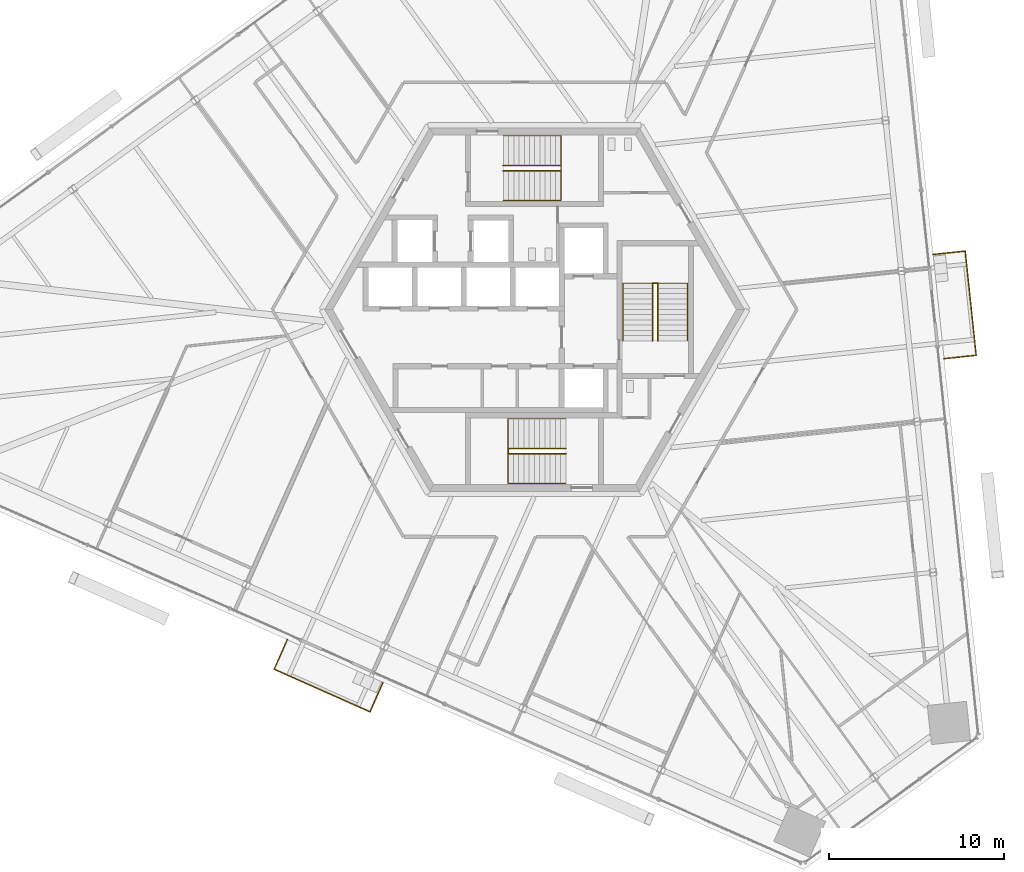
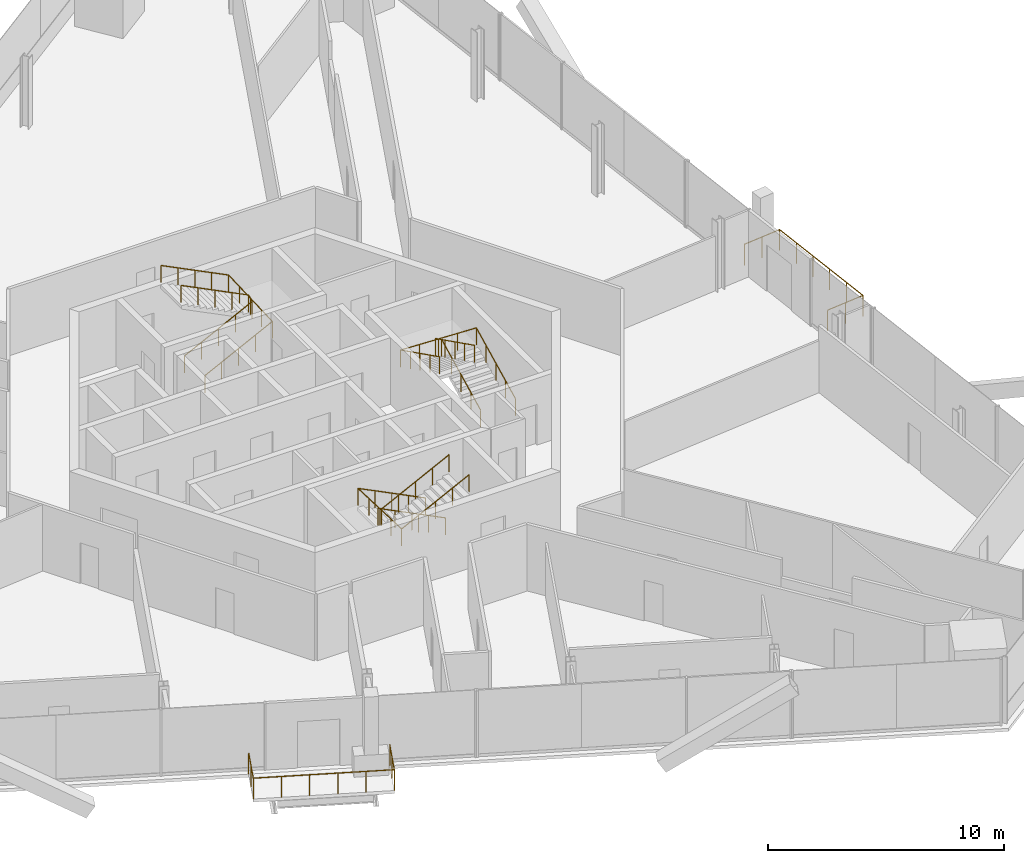
# One storey, part 15 of 18: 8 railings.
"""IFC4 building model written with IfcOpenShell, lengths in metres."""

from ifc_helpers import new_model, si_unit, direction, frame, origin, origin_2d, place, context, subcontext, project, spatial, circle, extrude, source, transform, mapped, material, type_object, element, save


model = new_model("IFC4")

# Units and contexts
model_context = context("Model", 3, precision=1e-05, world=origin(), true_north=direction((0.0, 1.0)))
body_context = subcontext(model_context, "Body", "Model", "MODEL_VIEW")
ifc_project = project(units=[si_unit("LENGTHUNIT", "METRE"), si_unit("AREAUNIT", "SQUARE_METRE"), si_unit("VOLUMEUNIT", "CUBIC_METRE"), si_unit("PLANEANGLEUNIT", "RADIAN"), si_unit("MASSUNIT", "GRAM", prefix="KILO")], contexts=[model_context])

# Site, building, storey
site_placement = place(None, origin())
site = spatial("IfcSite", under=ifc_project, at=site_placement, CompositionType="ELEMENT")
building_placement = place(site_placement, origin())
building = spatial("IfcBuilding", under=site, at=building_placement, Name="Triune Harvest Tower", CompositionType="ELEMENT")
storey_placement = place(building_placement, frame((0.0, 0.0, 83.699951171875)))
storey = spatial("IfcBuildingStorey", under=building, at=storey_placement, Name="L20", CompositionType="ELEMENT", Elevation=83.699951171875)

# Railings
ifc_material_1 = material(Name="Stainless steel AISI 316", Category="steel")
railing_type_1 = type_object("IfcRailingType", Name="Stair handrail", PredefinedType="HANDRAIL", material=ifc_material_1)
shared_shape_1 = source(origin(), body_context, "Body", "SweptSolid", [
    extrude(circle(Radius=0.02392578125, at=origin_2d()), frame((0.0, 0.0, 0.8759765625), z_axis=(0.894440424912, 0.0, 0.447187126696), x_axis=(0.0, 1.0, 0.0)), (0.0, 0.0, 1.0), 3.689453125),
    extrude(circle(Radius=0.02392578125, at=origin_2d()), frame((3.300048828125, 0.0, 2.52587890625), z_axis=(0.0, 0.999180289278, 0.040481471304), x_axis=(-1.0, 0.0, 0.0)), (0.0, 0.0, 1.0), 3.702880859375),
    extrude(circle(Radius=0.02392578125, at=origin_2d()), frame((3.300048828125, 3.699951171875, 2.67578125), z_axis=(-0.894413956696, 0.0, 0.447240063129), x_axis=(0.0, -1.0, 0.0)), (0.0, 0.0, 1.0), 3.689697265625),
    extrude(circle(Radius=0.02099609375, at=origin_2d()), origin(), (0.0, 0.0, 1.0), 0.851806640625),
    extrude(circle(Radius=0.02099609375, at=origin_2d()), frame((0.824951171875, 0.0, 0.41259765625)), (0.0, 0.0, 1.0), 0.851806640625),
    extrude(circle(Radius=0.02099609375, at=origin_2d()), frame((1.64990234375, 0.0, 0.824951171875)), (0.0, 0.0, 1.0), 0.851806640625),
    extrude(circle(Radius=0.02099609375, at=origin_2d()), frame((2.47509765625, 0.0, 1.2373046875)), (0.0, 0.0, 1.0), 0.851806640625),
    extrude(circle(Radius=0.02099609375, at=origin_2d()), frame((3.300048828125, 0.0, 1.64990234375)), (0.0, 0.0, 1.0), 0.851806640625),
    extrude(circle(Radius=0.02099609375, at=origin_2d()), frame((3.300048828125, 0.925048828125, 1.6875)), (0.0, 0.0, 1.0), 0.851806640625),
    extrude(circle(Radius=0.02099609375, at=origin_2d()), frame((3.300048828125, 1.85009765625, 1.724853515625)), (0.0, 0.0, 1.0), 0.851806640625),
    extrude(circle(Radius=0.02099609375, at=origin_2d()), frame((3.300048828125, 2.77490234375, 1.76220703125)), (0.0, 0.0, 1.0), 0.851806640625),
    extrude(circle(Radius=0.02099609375, at=origin_2d()), frame((3.300048828125, 3.699951171875, 1.7998046875)), (0.0, 0.0, 1.0), 0.851806640625),
    extrude(circle(Radius=0.02099609375, at=origin_2d()), frame((2.47509765625, 3.699951171875, 2.21240234375)), (0.0, 0.0, 1.0), 0.851806640625),
    extrude(circle(Radius=0.02099609375, at=origin_2d()), frame((1.64990234375, 3.699951171875, 2.625)), (0.0, 0.0, 1.0), 0.851806640625),
    extrude(circle(Radius=0.02099609375, at=origin_2d()), frame((0.824951171875, 3.699951171875, 3.037353515625)), (0.0, 0.0, 1.0), 0.851806640625),
    extrude(circle(Radius=0.02099609375, at=origin_2d()), frame((0.0, 3.699951171875, 3.449951171875)), (0.0, 0.0, 1.0), 0.851806640625),
])
railing_1_placement = place(storey_placement, frame((-1.7900390625, 6.239990234375, 0.150146484375)))
element("IfcRailing", 1, at=railing_1_placement, inside=storey, type_object=railing_type_1, Name="Exit stair north wall handrail", PredefinedType="HANDRAIL", context=body_context, shape_type="MappedRepresentation", body=[
    mapped(shared_shape_1, transform((0.0, 0.0, 0.0), scale=1.0)),
])
shared_shape_2 = source(origin(), body_context, "Body", "SweptSolid", [
    extrude(circle(Radius=0.02392578125, at=origin_2d()), frame((0.0, 0.0, 0.8759765625), z_axis=(0.894440424912, 0.0, 0.447187126696), x_axis=(0.0, 1.0, 0.0)), (0.0, 0.0, 1.0), 3.689453125),
    extrude(circle(Radius=0.02392578125, at=origin_2d()), frame((3.300048828125, 0.0, 2.52587890625), z_axis=(0.0, 0.894572720946, 0.446922417137), x_axis=(-1.0, 0.0, 0.0)), (0.0, 0.0, 1.0), 0.33544921875),
    extrude(circle(Radius=0.02392578125, at=origin_2d()), frame((3.300048828125, 0.300048828125, 2.67578125), z_axis=(-0.894413956696, 0.0, 0.447240063129), x_axis=(0.0, -1.0, 0.0)), (0.0, 0.0, 1.0), 3.689697265625),
    extrude(circle(Radius=0.02099609375, at=origin_2d()), origin(), (0.0, 0.0, 1.0), 0.851806640625),
    extrude(circle(Radius=0.02099609375, at=origin_2d()), frame((0.824951171875, 0.0, 0.41259765625)), (0.0, 0.0, 1.0), 0.851806640625),
    extrude(circle(Radius=0.02099609375, at=origin_2d()), frame((1.64990234375, 0.0, 0.824951171875)), (0.0, 0.0, 1.0), 0.851806640625),
    extrude(circle(Radius=0.02099609375, at=origin_2d()), frame((2.47509765625, 0.0, 1.2373046875)), (0.0, 0.0, 1.0), 0.851806640625),
    extrude(circle(Radius=0.02099609375, at=origin_2d()), frame((3.300048828125, 0.0, 1.64990234375)), (0.0, 0.0, 1.0), 0.851806640625),
    extrude(circle(Radius=0.02099609375, at=origin_2d()), frame((3.300048828125, 0.300048828125, 1.7998046875)), (0.0, 0.0, 1.0), 0.851806640625),
    extrude(circle(Radius=0.02099609375, at=origin_2d()), frame((2.47509765625, 0.300048828125, 2.21240234375)), (0.0, 0.0, 1.0), 0.851806640625),
    extrude(circle(Radius=0.02099609375, at=origin_2d()), frame((1.64990234375, 0.300048828125, 2.625)), (0.0, 0.0, 1.0), 0.851806640625),
    extrude(circle(Radius=0.02099609375, at=origin_2d()), frame((0.824951171875, 0.300048828125, 3.037353515625)), (0.0, 0.0, 1.0), 0.851806640625),
    extrude(circle(Radius=0.02099609375, at=origin_2d()), frame((0.0, 0.300048828125, 3.449951171875)), (0.0, 0.0, 1.0), 0.851806640625),
])
railing_2_placement = place(storey_placement, frame((-1.7900390625, 7.93994140625, 0.150146484375)))
element("IfcRailing", 2, at=railing_2_placement, inside=storey, type_object=railing_type_1, Name="Exit stair north centre handrail", PredefinedType="HANDRAIL", context=body_context, shape_type="MappedRepresentation", body=[
    mapped(shared_shape_2, transform((0.0, 0.0, 0.0), scale=1.0)),
])
shared_shape_3 = source(origin(), body_context, "Body", "SweptSolid", [
    extrude(circle(Radius=0.02392578125, at=origin_2d()), frame((0.0, 0.0, 0.8759765625), z_axis=(-0.894440424912, 0.0, 0.447187126696), x_axis=(0.0, -1.0, 0.0)), (0.0, 0.0, 1.0), 3.689453125),
    extrude(circle(Radius=0.02392578125, at=origin_2d()), frame((-3.300048828125, 0.0, 2.52587890625), z_axis=(0.0, -0.999180289278, 0.040481471304), x_axis=(1.0, 0.0, 0.0)), (0.0, 0.0, 1.0), 3.702880859375),
    extrude(circle(Radius=0.02392578125, at=origin_2d()), frame((-3.300048828125, -3.699951171875, 2.67578125), z_axis=(0.894413956696, 0.0, 0.447240063129), x_axis=(0.0, 1.0, 0.0)), (0.0, 0.0, 1.0), 3.689697265625),
    extrude(circle(Radius=0.02099609375, at=origin_2d()), origin(), (0.0, 0.0, 1.0), 0.851806640625),
    extrude(circle(Radius=0.02099609375, at=origin_2d()), frame((-0.824951171875, 0.0, 0.41259765625)), (0.0, 0.0, 1.0), 0.851806640625),
    extrude(circle(Radius=0.02099609375, at=origin_2d()), frame((-1.64990234375, 0.0, 0.824951171875)), (0.0, 0.0, 1.0), 0.851806640625),
    extrude(circle(Radius=0.02099609375, at=origin_2d()), frame((-2.47509765625, 0.0, 1.2373046875)), (0.0, 0.0, 1.0), 0.851806640625),
    extrude(circle(Radius=0.02099609375, at=origin_2d()), frame((-3.300048828125, 0.0, 1.64990234375)), (0.0, 0.0, 1.0), 0.851806640625),
    extrude(circle(Radius=0.02099609375, at=origin_2d()), frame((-3.300048828125, -0.925048828125, 1.6875)), (0.0, 0.0, 1.0), 0.851806640625),
    extrude(circle(Radius=0.02099609375, at=origin_2d()), frame((-3.300048828125, -1.85009765625, 1.724853515625)), (0.0, 0.0, 1.0), 0.851806640625),
    extrude(circle(Radius=0.02099609375, at=origin_2d()), frame((-3.300048828125, -2.77490234375, 1.76220703125)), (0.0, 0.0, 1.0), 0.851806640625),
    extrude(circle(Radius=0.02099609375, at=origin_2d()), frame((-3.300048828125, -3.699951171875, 1.7998046875)), (0.0, 0.0, 1.0), 0.851806640625),
    extrude(circle(Radius=0.02099609375, at=origin_2d()), frame((-2.47509765625, -3.699951171875, 2.21240234375)), (0.0, 0.0, 1.0), 0.851806640625),
    extrude(circle(Radius=0.02099609375, at=origin_2d()), frame((-1.64990234375, -3.699951171875, 2.625)), (0.0, 0.0, 1.0), 0.851806640625),
    extrude(circle(Radius=0.02099609375, at=origin_2d()), frame((-0.824951171875, -3.699951171875, 3.037353515625)), (0.0, 0.0, 1.0), 0.851806640625),
    extrude(circle(Radius=0.02099609375, at=origin_2d()), frame((0.0, -3.699951171875, 3.449951171875)), (0.0, 0.0, 1.0), 0.851806640625),
])
railing_3_placement = place(storey_placement, frame((1.7900390625, -6.239990234375, 0.150146484375)))
element("IfcRailing", 3, at=railing_3_placement, inside=storey, type_object=railing_type_1, Name="Exit stair south wall handrail", PredefinedType="HANDRAIL", context=body_context, shape_type="MappedRepresentation", body=[
    mapped(shared_shape_3, transform((0.0, 0.0, 0.0), scale=1.0)),
])
shared_shape_4 = source(origin(), body_context, "Body", "SweptSolid", [
    extrude(circle(Radius=0.02392578125, at=origin_2d()), frame((0.0, 0.0, 0.8759765625), z_axis=(-0.894440424912, 0.0, 0.447187126696), x_axis=(0.0, -1.0, 0.0)), (0.0, 0.0, 1.0), 3.689453125),
    extrude(circle(Radius=0.02392578125, at=origin_2d()), frame((-3.300048828125, 0.0, 2.52587890625), z_axis=(0.0, -0.894572720946, 0.446922417137), x_axis=(1.0, 0.0, 0.0)), (0.0, 0.0, 1.0), 0.33544921875),
    extrude(circle(Radius=0.02392578125, at=origin_2d()), frame((-3.300048828125, -0.300048828125, 2.67578125), z_axis=(0.894413956696, 0.0, 0.447240063129), x_axis=(0.0, 1.0, 0.0)), (0.0, 0.0, 1.0), 3.689697265625),
    extrude(circle(Radius=0.02099609375, at=origin_2d()), origin(), (0.0, 0.0, 1.0), 0.851806640625),
    extrude(circle(Radius=0.02099609375, at=origin_2d()), frame((-0.824951171875, 0.0, 0.41259765625)), (0.0, 0.0, 1.0), 0.851806640625),
    extrude(circle(Radius=0.02099609375, at=origin_2d()), frame((-1.64990234375, 0.0, 0.824951171875)), (0.0, 0.0, 1.0), 0.851806640625),
    extrude(circle(Radius=0.02099609375, at=origin_2d()), frame((-2.47509765625, 0.0, 1.2373046875)), (0.0, 0.0, 1.0), 0.851806640625),
    extrude(circle(Radius=0.02099609375, at=origin_2d()), frame((-3.300048828125, 0.0, 1.64990234375)), (0.0, 0.0, 1.0), 0.851806640625),
    extrude(circle(Radius=0.02099609375, at=origin_2d()), frame((-3.300048828125, -0.300048828125, 1.7998046875)), (0.0, 0.0, 1.0), 0.851806640625),
    extrude(circle(Radius=0.02099609375, at=origin_2d()), frame((-2.47509765625, -0.300048828125, 2.21240234375)), (0.0, 0.0, 1.0), 0.851806640625),
    extrude(circle(Radius=0.02099609375, at=origin_2d()), frame((-1.64990234375, -0.300048828125, 2.625)), (0.0, 0.0, 1.0), 0.851806640625),
    extrude(circle(Radius=0.02099609375, at=origin_2d()), frame((-0.824951171875, -0.300048828125, 3.037353515625)), (0.0, 0.0, 1.0), 0.851806640625),
    extrude(circle(Radius=0.02099609375, at=origin_2d()), frame((0.0, -0.300048828125, 3.449951171875)), (0.0, 0.0, 1.0), 0.851806640625),
])
railing_4_placement = place(storey_placement, frame((1.7900390625, -7.93994140625, 0.150146484375)))
element("IfcRailing", 4, at=railing_4_placement, inside=storey, type_object=railing_type_1, Name="Exit stair south centre handrail", PredefinedType="HANDRAIL", context=body_context, shape_type="MappedRepresentation", body=[
    mapped(shared_shape_4, transform((0.0, 0.0, 0.0), scale=1.0)),
])
shared_shape_5 = source(origin(), body_context, "Body", "SweptSolid", [
    extrude(circle(Radius=0.02392578125, at=origin_2d()), frame((0.0, 0.0, 0.8759765625), z_axis=(0.0, 0.894440424912, 0.447187126696), x_axis=(-1.0, 0.0, 0.0)), (0.0, 0.0, 1.0), 3.689453125),
    extrude(circle(Radius=0.02392578125, at=origin_2d()), frame((0.0, 3.300048828125, 2.52587890625), z_axis=(-0.999180289278, 0.0, 0.040481471304), x_axis=(0.0, -1.0, 0.0)), (0.0, 0.0, 1.0), 3.702880859375),
    extrude(circle(Radius=0.02392578125, at=origin_2d()), frame((-3.699951171875, 3.300048828125, 2.67578125), z_axis=(0.0, -0.894413956696, 0.447240063129), x_axis=(1.0, 0.0, 0.0)), (0.0, 0.0, 1.0), 3.689697265625),
    extrude(circle(Radius=0.02099609375, at=origin_2d()), origin(), (0.0, 0.0, 1.0), 0.851806640625),
    extrude(circle(Radius=0.02099609375, at=origin_2d()), frame((0.0, 0.824951171875, 0.41259765625)), (0.0, 0.0, 1.0), 0.851806640625),
    extrude(circle(Radius=0.02099609375, at=origin_2d()), frame((0.0, 1.64990234375, 0.824951171875)), (0.0, 0.0, 1.0), 0.851806640625),
    extrude(circle(Radius=0.02099609375, at=origin_2d()), frame((0.0, 2.47509765625, 1.2373046875)), (0.0, 0.0, 1.0), 0.851806640625),
    extrude(circle(Radius=0.02099609375, at=origin_2d()), frame((0.0, 3.300048828125, 1.64990234375)), (0.0, 0.0, 1.0), 0.851806640625),
    extrude(circle(Radius=0.02099609375, at=origin_2d()), frame((-0.925048828125, 3.300048828125, 1.6875)), (0.0, 0.0, 1.0), 0.851806640625),
    extrude(circle(Radius=0.02099609375, at=origin_2d()), frame((-1.85009765625, 3.300048828125, 1.724853515625)), (0.0, 0.0, 1.0), 0.851806640625),
    extrude(circle(Radius=0.02099609375, at=origin_2d()), frame((-2.77490234375, 3.300048828125, 1.76220703125)), (0.0, 0.0, 1.0), 0.851806640625),
    extrude(circle(Radius=0.02099609375, at=origin_2d()), frame((-3.699951171875, 3.300048828125, 1.7998046875)), (0.0, 0.0, 1.0), 0.851806640625),
    extrude(circle(Radius=0.02099609375, at=origin_2d()), frame((-3.699951171875, 2.47509765625, 2.21240234375)), (0.0, 0.0, 1.0), 0.851806640625),
    extrude(circle(Radius=0.02099609375, at=origin_2d()), frame((-3.699951171875, 1.64990234375, 2.625)), (0.0, 0.0, 1.0), 0.851806640625),
    extrude(circle(Radius=0.02099609375, at=origin_2d()), frame((-3.699951171875, 0.824951171875, 3.037353515625)), (0.0, 0.0, 1.0), 0.851806640625),
    extrude(circle(Radius=0.02099609375, at=origin_2d()), frame((-3.699951171875, 0.0, 3.449951171875)), (0.0, 0.0, 1.0), 0.851806640625),
])
railing_5_placement = place(storey_placement, frame((8.75, -1.7900390625, 0.150146484375)))
element("IfcRailing", 5, at=railing_5_placement, inside=storey, type_object=railing_type_1, Name="Exit stair east wall handrail", PredefinedType="HANDRAIL", context=body_context, shape_type="MappedRepresentation", body=[
    mapped(shared_shape_5, transform((0.0, 0.0, 0.0), scale=1.0)),
])
shared_shape_6 = source(origin(), body_context, "Body", "SweptSolid", [
    extrude(circle(Radius=0.02392578125, at=origin_2d()), frame((0.0, 0.0, 0.8759765625), z_axis=(0.0, 0.894440424912, 0.447187126696), x_axis=(-1.0, 0.0, 0.0)), (0.0, 0.0, 1.0), 3.689453125),
    extrude(circle(Radius=0.02392578125, at=origin_2d()), frame((0.0, 3.300048828125, 2.52587890625), z_axis=(-0.894572720946, 0.0, 0.446922417137), x_axis=(0.0, -1.0, 0.0)), (0.0, 0.0, 1.0), 0.33544921875),
    extrude(circle(Radius=0.02392578125, at=origin_2d()), frame((-0.300048828125, 3.300048828125, 2.67578125), z_axis=(0.0, -0.894413956696, 0.447240063129), x_axis=(1.0, 0.0, 0.0)), (0.0, 0.0, 1.0), 3.689697265625),
    extrude(circle(Radius=0.02099609375, at=origin_2d()), origin(), (0.0, 0.0, 1.0), 0.851806640625),
    extrude(circle(Radius=0.02099609375, at=origin_2d()), frame((0.0, 0.824951171875, 0.41259765625)), (0.0, 0.0, 1.0), 0.851806640625),
    extrude(circle(Radius=0.02099609375, at=origin_2d()), frame((0.0, 1.64990234375, 0.824951171875)), (0.0, 0.0, 1.0), 0.851806640625),
    extrude(circle(Radius=0.02099609375, at=origin_2d()), frame((0.0, 2.47509765625, 1.2373046875)), (0.0, 0.0, 1.0), 0.851806640625),
    extrude(circle(Radius=0.02099609375, at=origin_2d()), frame((0.0, 3.300048828125, 1.64990234375)), (0.0, 0.0, 1.0), 0.851806640625),
    extrude(circle(Radius=0.02099609375, at=origin_2d()), frame((-0.300048828125, 3.300048828125, 1.7998046875)), (0.0, 0.0, 1.0), 0.851806640625),
    extrude(circle(Radius=0.02099609375, at=origin_2d()), frame((-0.300048828125, 2.47509765625, 2.21240234375)), (0.0, 0.0, 1.0), 0.851806640625),
    extrude(circle(Radius=0.02099609375, at=origin_2d()), frame((-0.300048828125, 1.64990234375, 2.625)), (0.0, 0.0, 1.0), 0.851806640625),
    extrude(circle(Radius=0.02099609375, at=origin_2d()), frame((-0.300048828125, 0.824951171875, 3.037353515625)), (0.0, 0.0, 1.0), 0.851806640625),
    extrude(circle(Radius=0.02099609375, at=origin_2d()), frame((-0.300048828125, 0.0, 3.449951171875)), (0.0, 0.0, 1.0), 0.851806640625),
])
railing_6_placement = place(storey_placement, frame((7.050048828125, -1.7900390625, 0.150146484375)))
element("IfcRailing", 6, at=railing_6_placement, inside=storey, type_object=railing_type_1, Name="Exit stair east centre handrail", PredefinedType="HANDRAIL", context=body_context, shape_type="MappedRepresentation", body=[
    mapped(shared_shape_6, transform((0.0, 0.0, 0.0), scale=1.0)),
])
ifc_material_2 = material(Name="Glass", Category="glass")
railing_type_2 = type_object("IfcRailingType", Name="GD-2 balcony guard 1100", PredefinedType="GUARDRAIL", material=ifc_material_2)
shared_shape_7 = source(origin(), body_context, "Body", "SweptSolid", [
    extrude(circle(Radius=0.02392578125, at=origin_2d()), frame((0.0, 0.0, 1.076171875), z_axis=(0.994504727672, 0.104691674153, 0.0), x_axis=(-0.104691674153, 0.994504727672, 0.0)), (0.0, 0.0, 1.0), 1.8447265625),
    extrude(circle(Radius=0.02392578125, at=origin_2d()), frame((1.83447265625, 0.193115234375, 1.076171875), z_axis=(-0.104534394972, 0.994521271903, 0.0), x_axis=(-0.994521271903, -0.104534394972, 0.0)), (0.0, 0.0, 1.0), 6.0),
    extrude(circle(Radius=0.02392578125, at=origin_2d()), frame((1.207275390625, 6.16015625, 1.076171875), z_axis=(-0.99451994617, -0.104547006983, 0.0), x_axis=(0.104547006983, -0.99451994617, 0.0)), (0.0, 0.0, 1.0), 1.8447265625),
    extrude(circle(Radius=0.02099609375, at=origin_2d()), origin(), (0.0, 0.0, 1.0), 1.052001953125),
    extrude(circle(Radius=0.02099609375, at=origin_2d()), frame((0.917236328125, 0.0966796875, 0.0)), (0.0, 0.0, 1.0), 1.052001953125),
    extrude(circle(Radius=0.02099609375, at=origin_2d()), frame((1.83447265625, 0.193115234375, 0.0)), (0.0, 0.0, 1.0), 1.052001953125),
    extrude(circle(Radius=0.02099609375, at=origin_2d()), frame((1.708984375, 1.386474609375, 0.0)), (0.0, 0.0, 1.0), 1.052001953125),
    extrude(circle(Radius=0.02099609375, at=origin_2d()), frame((1.58349609375, 2.579833984375, 0.0)), (0.0, 0.0, 1.0), 1.052001953125),
    extrude(circle(Radius=0.02099609375, at=origin_2d()), frame((1.458251953125, 3.7734375, 0.0)), (0.0, 0.0, 1.0), 1.052001953125),
    extrude(circle(Radius=0.02099609375, at=origin_2d()), frame((1.332763671875, 4.966796875, 0.0)), (0.0, 0.0, 1.0), 1.052001953125),
    extrude(circle(Radius=0.02099609375, at=origin_2d()), frame((1.207275390625, 6.16015625, 0.0)), (0.0, 0.0, 1.0), 1.052001953125),
    extrude(circle(Radius=0.02099609375, at=origin_2d()), frame((0.2900390625, 6.063720703125, 0.0)), (0.0, 0.0, 1.0), 1.052001953125),
    extrude(circle(Radius=0.02099609375, at=origin_2d()), frame((-0.62744140625, 5.96728515625, 0.0)), (0.0, 0.0, 1.0), 1.052001953125),
])
railing_7_placement = place(storey_placement, frame((23.419921875, -2.810302734375, 0.0)))
element("IfcRailing", 7, at=railing_7_placement, inside=storey, type_object=railing_type_2, Name="Balcony guard B2-F1 L20.6", PredefinedType="GUARDRAIL", context=body_context, shape_type="MappedRepresentation", body=[
    mapped(shared_shape_7, transform((0.0, 0.0, 0.0), scale=1.0)),
])
shared_shape_8 = source(origin(), body_context, "Body", "SweptSolid", [
    extrude(circle(Radius=0.02392578125, at=origin_2d()), frame((0.0, 0.0, 1.076171875), z_axis=(-0.406740135234, -0.913543902826, 0.0), x_axis=(0.913543902826, -0.406740135234, 0.0)), (0.0, 0.0, 1.0), 1.844482421875),
    extrude(circle(Radius=0.02392578125, at=origin_2d()), frame((-0.750244140625, -1.68505859375, 1.076171875), z_axis=(0.913542875427, -0.406742442776, 0.0), x_axis=(0.406742442776, 0.913542875427, 0.0)), (0.0, 0.0, 1.0), 6.0),
    extrude(circle(Radius=0.02392578125, at=origin_2d()), frame((4.73095703125, -4.12548828125, 1.076171875), z_axis=(0.406850588418, 0.913494717392, 0.0), x_axis=(-0.913494717392, 0.406850588418, 0.0)), (0.0, 0.0, 1.0), 1.8447265625),
    extrude(circle(Radius=0.02099609375, at=origin_2d()), origin(), (0.0, 0.0, 1.0), 1.052001953125),
    extrude(circle(Radius=0.02099609375, at=origin_2d()), frame((-0.375, -0.842529296875, 0.0)), (0.0, 0.0, 1.0), 1.052001953125),
    extrude(circle(Radius=0.02099609375, at=origin_2d()), frame((-0.750244140625, -1.68505859375, 0.0)), (0.0, 0.0, 1.0), 1.052001953125),
    extrude(circle(Radius=0.02099609375, at=origin_2d()), frame((0.345947265625, -2.173095703125, 0.0)), (0.0, 0.0, 1.0), 1.052001953125),
    extrude(circle(Radius=0.02099609375, at=origin_2d()), frame((1.442138671875, -2.6611328125, 0.0)), (0.0, 0.0, 1.0), 1.052001953125),
    extrude(circle(Radius=0.02099609375, at=origin_2d()), frame((2.53857421875, -3.1494140625, 0.0)), (0.0, 0.0, 1.0), 1.052001953125),
    extrude(circle(Radius=0.02099609375, at=origin_2d()), frame((3.634765625, -3.637451171875, 0.0)), (0.0, 0.0, 1.0), 1.052001953125),
    extrude(circle(Radius=0.02099609375, at=origin_2d()), frame((4.73095703125, -4.12548828125, 0.0)), (0.0, 0.0, 1.0), 1.052001953125),
    extrude(circle(Radius=0.02099609375, at=origin_2d()), frame((5.106201171875, -3.282958984375, 0.0)), (0.0, 0.0, 1.0), 1.052001953125),
    extrude(circle(Radius=0.02099609375, at=origin_2d()), frame((5.4814453125, -2.4404296875, 0.0)), (0.0, 0.0, 1.0), 1.052001953125),
])
railing_8_placement = place(storey_placement, frame((-14.1435546875, -18.877197265625, 0.0)))
element("IfcRailing", 8, at=railing_8_placement, inside=storey, type_object=railing_type_2, Name="Balcony guard B2-F5 L20.6", PredefinedType="GUARDRAIL", context=body_context, shape_type="MappedRepresentation", body=[
    mapped(shared_shape_8, transform((0.0, 0.0, 0.0), scale=1.0)),
])

save(model, "model.ifc")
